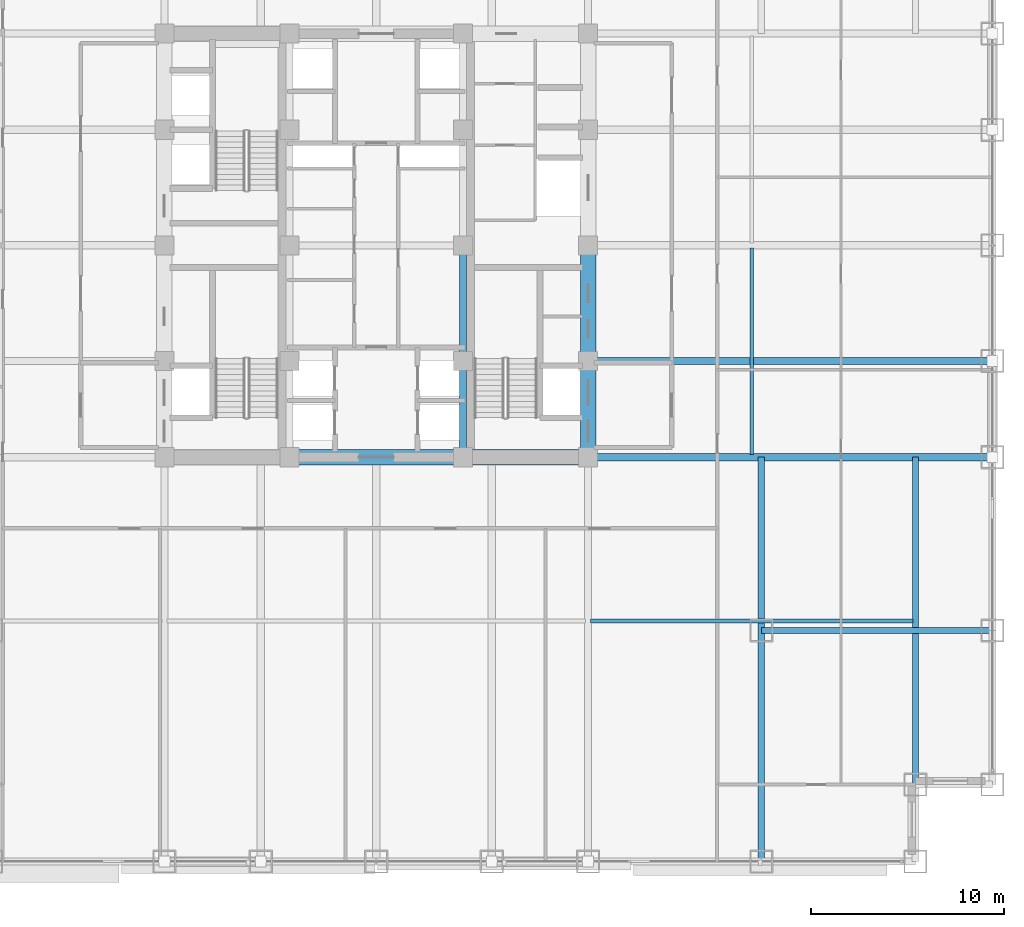
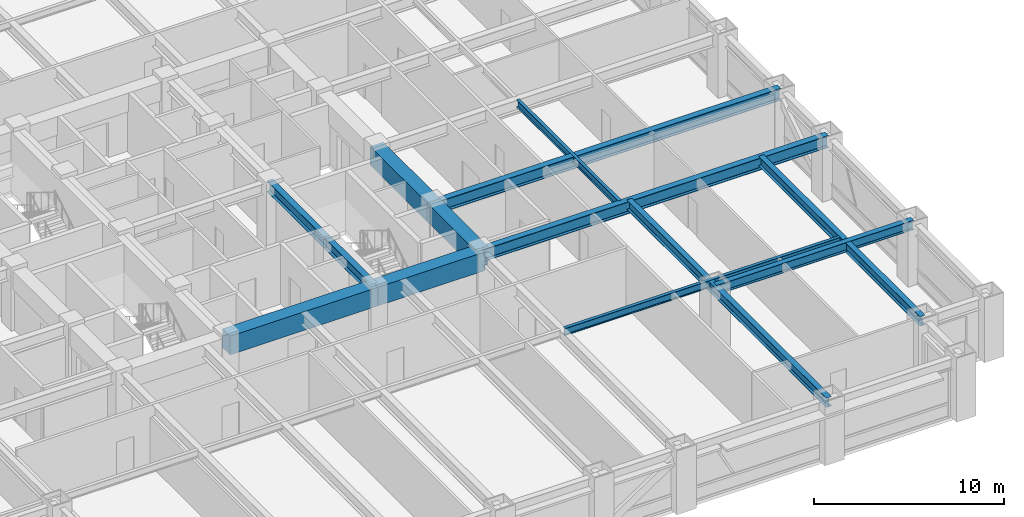
# One storey, part 7 of 32: 13 beams.
"""IFC4 building model written with IfcOpenShell, lengths in metres."""

import ifcopenshell
import ifcopenshell.guid

model = None  # the IFC model being written
_history = None  # IfcOwnerHistory: only IFC2X3 demands one
_inside = {}  # id of a spatial element -> (the spatial element, [elements in it])
_under = {}  # id of a project, library or spatial element -> (it, [spatial elements below it])
_declared = {}  # id of a project -> (the project, [libraries it declares])
_typed = {}  # id of a type object -> (the type object, [elements of that type])
_made_of = {}  # id of a material, layer set ... -> (it, [elements and type objects made of it])


def new_model(schema):
    """Start an empty IFC model of exactly this schema.

    Asked for "IFC4X3", IfcOpenShell would pick the latest addendum, in which some entities
    have other attributes; the version numbers below select the first issue.
    IFC2X3 requires an IfcOwnerHistory on every rooted entity: one is made here for all.
    """
    global model, _history
    if schema == "IFC4X3":
        model = ifcopenshell.file(schema_version=(4, 3, 0, 0))
    else:
        model = ifcopenshell.file(schema=schema)
    _inside.clear()
    _under.clear()
    _declared.clear()
    _typed.clear()
    _made_of.clear()
    _history = None
    if model.schema == "IFC2X3":
        org = make("IfcOrganization", Name="unknown")
        user = make(
            "IfcPersonAndOrganization",
            ThePerson=make("IfcPerson", FamilyName="unknown"),
            TheOrganization=org,
        )
        app = make(
            "IfcApplication",
            ApplicationDeveloper=org,
            Version="unknown",
            ApplicationFullName="unknown",
            ApplicationIdentifier="unknown",
        )
        _history = make(
            "IfcOwnerHistory",
            OwningUser=user,
            OwningApplication=app,
            ChangeAction="ADDED",
            CreationDate=0,
        )
    return model


def make(cls, **values):
    """One entity of the class cls with the attributes given. An attribute that is None is left unset."""
    return model.create_entity(
        cls, **{name: value for name, value in values.items() if value is not None}
    )


def rooted(cls, **values):
    """An entity with a GlobalId (a new one), such as an element, a storey or a relation."""
    return make(cls, GlobalId=ifcopenshell.guid.new(), OwnerHistory=_history, **values)


def si_unit(unit_type, name, prefix=None):
    """IfcSIUnit, for example si_unit("LENGTHUNIT", "METRE", prefix="MILLI")."""
    return make("IfcSIUnit", UnitType=unit_type, Prefix=prefix, Name=name)


def assignment(units):
    """IfcUnitAssignment: the units of a project."""
    return None if units is None else make("IfcUnitAssignment", Units=units)


def point(xyz):
    """IfcCartesianPoint."""
    return None if xyz is None else make("IfcCartesianPoint", Coordinates=xyz)


def direction(xyz):
    """IfcDirection."""
    return None if xyz is None else make("IfcDirection", DirectionRatios=xyz)


def frame(location, z_axis=None, x_axis=None):
    """IfcAxis2Placement3D, a coordinate frame: its origin and axes. An axis left out is left unset."""
    return make(
        "IfcAxis2Placement3D",
        Location=point(location),
        Axis=direction(z_axis),
        RefDirection=direction(x_axis),
    )


def frame_2d(location, x_axis=None):
    """IfcAxis2Placement2D, a coordinate frame in the plane: its origin and x axis."""
    return make(
        "IfcAxis2Placement2D", Location=point(location), RefDirection=direction(x_axis)
    )


def origin():
    """The frame at (0, 0, 0) with its axes left unset."""
    return frame((0.0, 0.0, 0.0))


def origin_2d():
    """The frame at (0, 0) in the plane with its x axis left unset."""
    return frame_2d((0.0, 0.0))


def place(relative_to, where):
    """IfcLocalPlacement: puts the frame where relative to a parent placement (None: the world)."""
    return make(
        "IfcLocalPlacement", PlacementRelTo=relative_to, RelativePlacement=where
    )


def context(
    kind, dimensions, precision=None, world=None, true_north=None, identifier=None
):
    """IfcGeometricRepresentationContext, for example the 3D "Model" context."""
    return make(
        "IfcGeometricRepresentationContext",
        ContextIdentifier=identifier,
        ContextType=kind,
        CoordinateSpaceDimension=dimensions,
        Precision=precision,
        WorldCoordinateSystem=world,
        TrueNorth=true_north,
    )


def subcontext(parent, identifier, kind, view, scale=None):
    """IfcGeometricRepresentationSubContext, for example "Body" below "Model"."""
    return make(
        "IfcGeometricRepresentationSubContext",
        ContextIdentifier=identifier,
        ContextType=kind,
        ParentContext=parent,
        TargetScale=scale,
        TargetView=view,
    )


def project(units=None, contexts=None):
    """IfcProject with its units and contexts."""
    return rooted(
        "IfcProject",
        Name="project",
        RepresentationContexts=contexts,
        UnitsInContext=assignment(units),
    )


def spatial(cls, under=None, at=None, **own):
    """A site, building, storey or space (cls), placed at a placement, below another one or the project."""
    s = rooted(cls, ObjectPlacement=at, **own)
    if under is not None:
        _under.setdefault(under.id(), (under, []))[1].append(s)
    return s


def profile(cls, at=None, kind="AREA", **sizes):
    """A parametric profile (cls). Its sizes go by their IFC names, for example OverallWidth=200.0."""
    return make(cls, ProfileType=kind, Position=at, **sizes)


def rectangle(**sizes):
    """IfcRectangleProfileDef."""
    return profile("IfcRectangleProfileDef", **sizes)


def i_section(**sizes):
    """IfcIShapeProfileDef."""
    return profile("IfcIShapeProfileDef", **sizes)


def extrude(swept, where, along, depth):
    """IfcExtrudedAreaSolid: the profile swept, set in the frame where, extruded along a direction by depth."""
    return make(
        "IfcExtrudedAreaSolid",
        SweptArea=swept,
        Position=where,
        ExtrudedDirection=direction(along),
        Depth=depth,
    )


def shape(context_of_items, identifier, shape_type, items):
    """IfcShapeRepresentation: the items that make up one representation, for example the "Body"."""
    return make(
        "IfcShapeRepresentation",
        ContextOfItems=context_of_items,
        RepresentationIdentifier=identifier,
        RepresentationType=shape_type,
        Items=items,
    )


def source(mapping_origin, context_of_items, identifier, shape_type, items):
    """IfcRepresentationMap: a shape defined once, which mapped items show again and again."""
    return make(
        "IfcRepresentationMap",
        MappingOrigin=mapping_origin,
        MappedRepresentation=shape(context_of_items, identifier, shape_type, items),
    )


def transform(
    local_origin,
    x_axis=None,
    y_axis=None,
    z_axis=None,
    scale=None,
    scale2=None,
    scale3=None,
    uniform=True,
):
    """IfcCartesianTransformationOperator3D, or its non-uniform kind. x_axis, y_axis, z_axis: its Axis1, 2, 3."""
    if uniform:
        return make(
            "IfcCartesianTransformationOperator3D",
            Axis1=direction(x_axis),
            Axis2=direction(y_axis),
            LocalOrigin=point(local_origin),
            Scale=scale,
            Axis3=direction(z_axis),
        )
    return make(
        "IfcCartesianTransformationOperator3DnonUniform",
        Axis1=direction(x_axis),
        Axis2=direction(y_axis),
        LocalOrigin=point(local_origin),
        Scale=scale,
        Axis3=direction(z_axis),
        Scale2=scale2,
        Scale3=scale3,
    )


def mapped(mapping_source, mapping_target):
    """IfcMappedItem: shows the shape of a source again, moved by a transform."""
    return make(
        "IfcMappedItem", MappingSource=mapping_source, MappingTarget=mapping_target
    )


def material(Name=None, Category=None):
    """IfcMaterial."""
    return make("IfcMaterial", Name=Name, Category=Category)


def material_profile(
    of_material, cross_section, Name=None, Category=None, Priority=None
):
    """IfcMaterialProfile: a cross section and its material."""
    return make(
        "IfcMaterialProfile",
        Name=Name,
        Material=of_material,
        Profile=cross_section,
        Priority=Priority,
        Category=Category,
    )


def profile_set(profiles, Name=None, composite=None):
    """IfcMaterialProfileSet."""
    return make(
        "IfcMaterialProfileSet",
        Name=Name,
        MaterialProfiles=profiles,
        CompositeProfile=composite,
    )


def made_of(thing, what):
    """Note that an element or type object is made of a material, layer set ...; save() writes the relation."""
    if what is not None:
        _made_of.setdefault(what.id(), (what, []))[1].append(thing)
    return thing


def type_object(cls, material=None, **own):
    """A type object (cls), such as IfcWallType, which elements share."""
    return made_of(rooted(cls, **own), material)


def element(
    cls,
    number,
    at=None,
    inside=None,
    cuts=None,
    type_object=None,
    material=None,
    context=None,
    identifier="Body",
    shape_type=None,
    held_by="IfcProductDefinitionShape",
    body=None,
    shapes=None,
    **own,
):
    """One element of the class cls, such as IfcWall. Its Tag is "e" and its number.

    at: its placement. inside: the storey or other place that contains it. cuts: it is an
    opening in that element (IfcRelVoidsElement). A single representation is given by context,
    identifier, shape_type and body (its items); several are given by shapes. held_by: the class
    of the entity that holds the representations. save() writes the other relations.
    """
    e = rooted(cls, Tag="e%d" % number, ObjectPlacement=at, **own)
    if body is not None:
        shapes = [shape(context, identifier, shape_type, body)]
    if shapes is not None:
        e.Representation = make(held_by, Representations=shapes)
    if inside is not None:
        _inside.setdefault(inside.id(), (inside, []))[1].append(e)
    if cuts is not None:
        rooted(
            "IfcRelVoidsElement", RelatingBuildingElement=cuts, RelatedOpeningElement=e
        )
    if type_object is not None:
        _typed.setdefault(type_object.id(), (type_object, []))[1].append(e)
    return made_of(e, material)


def aggregate(whole, parts):
    """IfcRelAggregates: a whole, such as a stair, and the parts it consists of."""
    return rooted("IfcRelAggregates", RelatingObject=whole, RelatedObjects=parts)


def save(model, path):
    """Write the relations noted so far, then the file.

    IfcRelAggregates (storeys below a building ...), IfcRelContainedInSpatialStructure (elements
    in a storey), IfcRelDefinesByType, IfcRelAssociatesMaterial and IfcRelDeclares: one each for
    every whole, place, type object, material and project.
    """
    for whole, parts in _under.values():
        aggregate(whole, parts)
    for where, things in _inside.values():
        rooted(
            "IfcRelContainedInSpatialStructure",
            RelatedElements=things,
            RelatingStructure=where,
        )
    for kind, things in _typed.values():
        rooted("IfcRelDefinesByType", RelatedObjects=things, RelatingType=kind)
    for what, things in _made_of.values():
        rooted("IfcRelAssociatesMaterial", RelatedObjects=things, RelatingMaterial=what)
    for by, libraries in _declared.values():
        rooted("IfcRelDeclares", RelatingContext=by, RelatedDefinitions=libraries)
    model.write(path)


model = new_model("IFC4")

# Units and contexts
model_context = context("Model", 3, precision=1e-05, world=origin(), true_north=direction((0.0, 1.0)))
body_context = subcontext(model_context, "Body", "Model", "MODEL_VIEW")
ifc_project = project(units=[si_unit("LENGTHUNIT", "METRE"), si_unit("AREAUNIT", "SQUARE_METRE"), si_unit("VOLUMEUNIT", "CUBIC_METRE"), si_unit("PLANEANGLEUNIT", "RADIAN"), si_unit("MASSUNIT", "GRAM", prefix="KILO")], contexts=[model_context])

# Site, building, storey
site_placement = place(None, origin())
site = spatial("IfcSite", under=ifc_project, at=site_placement, CompositionType="ELEMENT")
building_placement = place(site_placement, origin())
building = spatial("IfcBuilding", under=site, at=building_placement, Name="Khorayat Bourse Tower", CompositionType="ELEMENT")
storey_placement = place(building_placement, frame((0.0, 0.0, 128.300048828125)))
storey = spatial("IfcBuildingStorey", under=building, at=storey_placement, Name="L29", CompositionType="ELEMENT", Elevation=128.300048828125)

# Beams
ifc_material_1 = material(Name="Concrete C72/90", Category="concrete")
ifc_material_profile_1 = material_profile(ifc_material_1, rectangle(XDim=0.800048828125, YDim=1.199951171875, at=origin_2d()), Name="RC 800x1200")
ifc_profile_set_1 = profile_set([ifc_material_profile_1], Name="Concrete C72/90")
beam_type_1 = type_object("IfcBeamType", Name="BM-COUP-1200", PredefinedType="BEAM", material=ifc_profile_set_1)
shared_shape_1 = source(origin(), body_context, "Body", "SweptSolid", [
    extrude(rectangle(XDim=0.800048828125, YDim=1.199951171875, at=origin_2d()), origin(), (0.0, 0.0, 1.0), 5.0),
])
beam_1_placement = place(storey_placement, frame((11.0, -11.0, 3.239990234375), z_axis=(0.0, 1.0, 0.0), x_axis=(-1.0, 0.0, 0.0)))
element("IfcBeam", 1, at=beam_1_placement, inside=storey, type_object=beam_type_1, Name="L29 BM-COUP-1200 BM-L29-CRX-13", PredefinedType="BEAM", context=body_context, shape_type="MappedRepresentation", body=[
    mapped(shared_shape_1, transform((0.0, 0.0, 0.0), scale=1.0)),
])
shared_shape_2 = source(origin(), body_context, "Body", "SweptSolid", [
    extrude(rectangle(XDim=0.800048828125, YDim=1.199951171875, at=origin_2d()), origin(), (0.0, 0.0, 1.0), 6.0),
])
beam_2_placement = place(storey_placement, frame((11.0, -6.0, 3.239990234375), z_axis=(0.0, 1.0, 0.0), x_axis=(-1.0, 0.0, 0.0)))
element("IfcBeam", 2, at=beam_2_placement, inside=storey, type_object=beam_type_1, Name="L29 BM-COUP-1200 BM-L29-CRX-14", PredefinedType="BEAM", context=body_context, shape_type="MappedRepresentation", body=[
    mapped(shared_shape_2, transform((0.0, 0.0, 0.0), scale=1.0)),
])
ifc_material_2 = material(Name="Steel ASTM A992 Grade 50", Category="steel")
ifc_material_profile_2 = material_profile(ifc_material_2, i_section(OverallWidth=0.35498046875, OverallDepth=0.695068359375, WebThickness=0.015380859375, FlangeThickness=0.02490234375, FilletRadius=0.01806640625, at=origin_2d()), Name="W690X217")
ifc_profile_set_2 = profile_set([ifc_material_profile_2], Name="Steel ASTM A992 Grade 50")
beam_type_2 = type_object("IfcBeamType", Name="BM-GIRD-690", PredefinedType="BEAM", material=ifc_profile_set_2)
shared_shape_3 = source(origin(), body_context, "Body", "SweptSolid", [
    extrude(i_section(OverallWidth=0.35498046875, OverallDepth=0.695068359375, WebThickness=0.015380859375, FlangeThickness=0.02490234375, FilletRadius=0.01806640625, at=origin_2d()), origin(), (0.0, 0.0, 1.0), 5.0),
])
beam_3_placement = place(storey_placement, frame((4.5, -11.0, 3.492431640625), z_axis=(0.0, 1.0, 0.0), x_axis=(-1.0, 0.0, 0.0)))
element("IfcBeam", 3, at=beam_3_placement, inside=storey, type_object=beam_type_2, Name="L29 BM-GIRD-690 BM-L29-CRX-09", PredefinedType="BEAM", context=body_context, shape_type="MappedRepresentation", body=[
    mapped(shared_shape_3, transform((0.0, 0.0, 0.0), scale=1.0)),
])
shared_shape_4 = source(origin(), body_context, "Body", "SweptSolid", [
    extrude(i_section(OverallWidth=0.35498046875, OverallDepth=0.695068359375, WebThickness=0.015380859375, FlangeThickness=0.02490234375, FilletRadius=0.01806640625, at=origin_2d()), origin(), (0.0, 0.0, 1.0), 6.0),
])
beam_4_placement = place(storey_placement, frame((4.5, -6.0, 3.492431640625), z_axis=(0.0, 1.0, 0.0), x_axis=(-1.0, 0.0, 0.0)))
element("IfcBeam", 4, at=beam_4_placement, inside=storey, type_object=beam_type_2, Name="L29 BM-GIRD-690 BM-L29-CRX-10", PredefinedType="BEAM", context=body_context, shape_type="MappedRepresentation", body=[
    mapped(shared_shape_4, transform((0.0, 0.0, 0.0), scale=1.0)),
])
shared_shape_5 = source(origin(), body_context, "Body", "SweptSolid", [
    extrude(rectangle(XDim=0.800048828125, YDim=1.199951171875, at=origin_2d()), origin(), (0.0, 0.0, 1.0), 6.5),
])
beam_5_placement = place(storey_placement, frame((4.5, -11.0, 3.239990234375), z_axis=(1.0, 0.0, 0.0), x_axis=(0.0, 1.0, 0.0)))
element("IfcBeam", 5, at=beam_5_placement, inside=storey, type_object=beam_type_1, Name="L29 BM-COUP-1200 BM-L29-CRY-19", PredefinedType="BEAM", context=body_context, shape_type="MappedRepresentation", body=[
    mapped(shared_shape_5, transform((0.0, 0.0, 0.0), scale=1.0)),
])
shared_shape_6 = source(origin(), body_context, "Body", "SweptSolid", [
    extrude(rectangle(XDim=0.800048828125, YDim=1.199951171875, at=origin_2d()), origin(), (0.0, 0.0, 1.0), 9.0),
])
beam_6_placement = place(storey_placement, frame((-4.5, -11.0, 3.239990234375), z_axis=(1.0, 0.0, 0.0), x_axis=(0.0, 1.0, 0.0)))
element("IfcBeam", 6, at=beam_6_placement, inside=storey, type_object=beam_type_1, Name="L29 BM-COUP-1200 BM-L29-CRY-18", PredefinedType="BEAM", context=body_context, shape_type="MappedRepresentation", body=[
    mapped(shared_shape_6, transform((0.0, 0.0, 0.0), scale=1.0)),
])
ifc_material_profile_3 = material_profile(ifc_material_2, i_section(OverallWidth=0.324951171875, OverallDepth=0.615966796875, WebThickness=0.013916015625, FlangeThickness=0.021484375, FilletRadius=0.01611328125, at=origin_2d()), Name="W610X174")
ifc_profile_set_3 = profile_set([ifc_material_profile_3], Name="Steel ASTM A992 Grade 50")
beam_type_3 = type_object("IfcBeamType", Name="BM-GIRD-610", PredefinedType="BEAM", material=ifc_profile_set_3)
shared_shape_7 = source(origin(), body_context, "Body", "SweptSolid", [
    extrude(i_section(OverallWidth=0.324951171875, OverallDepth=0.615966796875, WebThickness=0.013916015625, FlangeThickness=0.021484375, FilletRadius=0.01611328125, at=origin_2d()), origin(), (0.0, 0.0, 1.0), 21.0),
])
beam_7_placement = place(storey_placement, frame((20.0, -32.0, 3.531982421875), z_axis=(0.0, 1.0, 0.0), x_axis=(-1.0, 0.0, 0.0)))
element("IfcBeam", 7, at=beam_7_placement, inside=storey, type_object=beam_type_3, Name="L29 BM-GIRD-610 BM-L29-CNRY-086", PredefinedType="BEAM", context=body_context, shape_type="MappedRepresentation", body=[
    mapped(shared_shape_7, transform((0.0, 0.0, 0.0), scale=1.0)),
])
shared_shape_8 = source(origin(), body_context, "Body", "SweptSolid", [
    extrude(i_section(OverallWidth=0.324951171875, OverallDepth=0.615966796875, WebThickness=0.013916015625, FlangeThickness=0.021484375, FilletRadius=0.01611328125, at=origin_2d()), origin(), (0.0, 0.0, 1.0), 12.0),
])
beam_8_placement = place(storey_placement, frame((20.0, -20.0, 3.531982421875), z_axis=(1.0, 0.0, 0.0), x_axis=(0.0, 1.0, 0.0)))
element("IfcBeam", 8, at=beam_8_placement, inside=storey, type_object=beam_type_3, Name="L29 BM-GIRD-610 BM-L29-CNRX-092", PredefinedType="BEAM", context=body_context, shape_type="MappedRepresentation", body=[
    mapped(shared_shape_8, transform((0.0, 0.0, 0.0), scale=1.0)),
])
ifc_material_profile_4 = material_profile(ifc_material_2, i_section(OverallWidth=0.194091796875, OverallDepth=0.468994140625, WebThickness=0.0126953125, FlangeThickness=0.0205078125, FilletRadius=0.012939453125, at=origin_2d()), Name="W460X106")
ifc_profile_set_4 = profile_set([ifc_material_profile_4], Name="Steel ASTM A992 Grade 50")
beam_type_4 = type_object("IfcBeamType", Name="BM-JOIST-460", PredefinedType="JOIST", material=ifc_profile_set_4)
shared_shape_9 = source(origin(), body_context, "Body", "SweptSolid", [
    extrude(i_section(OverallWidth=0.194091796875, OverallDepth=0.468994140625, WebThickness=0.0126953125, FlangeThickness=0.0205078125, FilletRadius=0.012939453125, at=origin_2d()), origin(), (0.0, 0.0, 1.0), 10.740234375),
])
beam_9_placement = place(storey_placement, frame((19.5, -10.8701171875, 3.60546875), z_axis=(0.0, 1.0, 0.0), x_axis=(-1.0, 0.0, 0.0)))
element("IfcBeam", 9, at=beam_9_placement, inside=storey, type_object=beam_type_4, Name="L29 BM-JOIST-460 BM-L29-JSTY-104", PredefinedType="JOIST", context=body_context, shape_type="MappedRepresentation", body=[
    mapped(shared_shape_9, transform((0.0, 0.0, 0.0), scale=1.0)),
])
ifc_material_profile_5 = material_profile(ifc_material_2, i_section(OverallWidth=0.381103515625, OverallDepth=0.77294921875, WebThickness=0.0166015625, FlangeThickness=0.027587890625, FilletRadius=0.01806640625, at=origin_2d()), Name="W760X257")
ifc_profile_set_5 = profile_set([ifc_material_profile_5], Name="Steel ASTM A992 Grade 50")
beam_type_5 = type_object("IfcBeamType", Name="BM-GIRD-760", PredefinedType="BEAM", material=ifc_profile_set_5)
shared_shape_10 = source(origin(), body_context, "Body", "SweptSolid", [
    extrude(i_section(OverallWidth=0.381103515625, OverallDepth=0.77294921875, WebThickness=0.0166015625, FlangeThickness=0.027587890625, FilletRadius=0.01806640625, at=origin_2d()), origin(), (0.0, 0.0, 1.0), 21.0),
])
for number, where, z_axis, x_axis, name in (
    (10, (11.0, -11.0, 3.453369140625), (1.0, 0.0, 0.0), (0.0, 1.0, 0.0), "L29 BM-GIRD-760 BM-L29-RADX-074"),
    (11, (11.0, -6.0, 3.453369140625), (1.0, 0.0, 0.0), (0.0, 1.0, 0.0), "L29 BM-GIRD-760 BM-L29-RADX-076"),
):
    element("IfcBeam", number, at=place(storey_placement, frame(where, z_axis=z_axis, x_axis=x_axis)), inside=storey, type_object=beam_type_5, Name=name, PredefinedType="BEAM", context=body_context, shape_type="MappedRepresentation", body=[
        mapped(shared_shape_10, transform((0.0, 0.0, 0.0), scale=1.0)),
    ])
shared_shape_11 = source(origin(), body_context, "Body", "SweptSolid", [
    extrude(i_section(OverallWidth=0.324951171875, OverallDepth=0.615966796875, WebThickness=0.013916015625, FlangeThickness=0.021484375, FilletRadius=0.01611328125, at=origin_2d()), origin(), (0.0, 0.0, 1.0), 17.0),
])
beam_10_placement = place(storey_placement, frame((28.0, -28.0, 3.531982421875), z_axis=(0.0, 1.0, 0.0), x_axis=(-1.0, 0.0, 0.0)))
element("IfcBeam", 12, at=beam_10_placement, inside=storey, type_object=beam_type_3, Name="L29 BM-GIRD-610 BM-L29-CNRY-090", PredefinedType="BEAM", context=body_context, shape_type="MappedRepresentation", body=[
    mapped(shared_shape_11, transform((0.0, 0.0, 0.0), scale=1.0)),
])
shared_shape_12 = source(origin(), body_context, "Body", "SweptSolid", [
    extrude(i_section(OverallWidth=0.194091796875, OverallDepth=0.468994140625, WebThickness=0.0126953125, FlangeThickness=0.0205078125, FilletRadius=0.012939453125, at=origin_2d()), origin(), (0.0, 0.0, 1.0), 16.740234375),
])
beam_11_placement = place(storey_placement, frame((11.1298828125, -19.5, 3.60546875), z_axis=(1.0, 0.0, 0.0), x_axis=(0.0, 1.0, 0.0)))
element("IfcBeam", 13, at=beam_11_placement, inside=storey, type_object=beam_type_4, Name="L29 BM-JOIST-460 BM-L29-JSTX-098", PredefinedType="JOIST", context=body_context, shape_type="MappedRepresentation", body=[
    mapped(shared_shape_12, transform((0.0, 0.0, 0.0), scale=1.0)),
])

save(model, "model.ifc")
